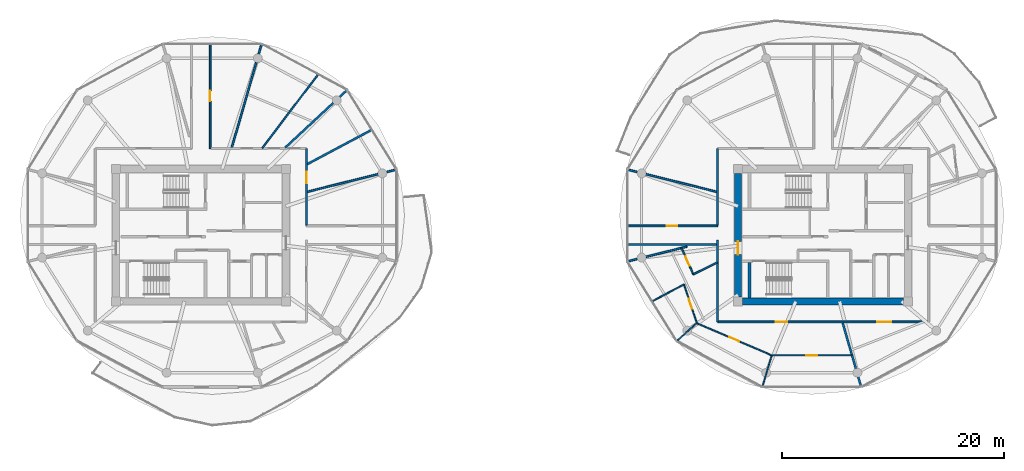
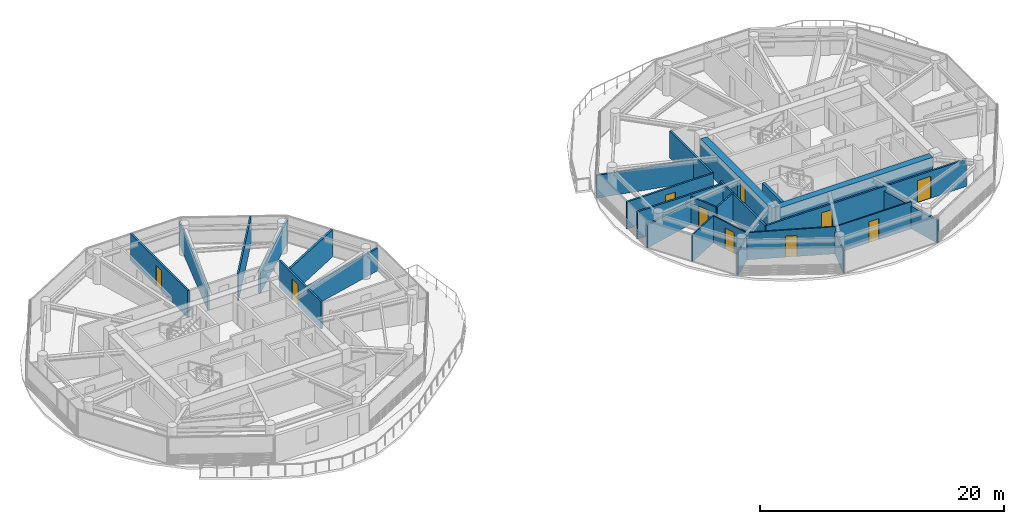
# One storey, part 14 of 22: 26 walls, 10 doors, 10 openings.
"""IFC4 building model written with IfcOpenShell, lengths in metres."""

from ifc_helpers import new_model, si_unit, direction, frame, frame_2d, origin, place, context, subcontext, project, spatial, rectangle, extrude, source, transform, mapped, material, layer, layer_set, type_object, type_shapes, element, fill, save


model = new_model("IFC4")

# Units and contexts
model_context = context("Model", 3, precision=1e-05, world=origin(), true_north=direction((0.0, 1.0)))
body_context = subcontext(model_context, "Body", "Model", "MODEL_VIEW")
ifc_project = project(units=[si_unit("LENGTHUNIT", "METRE"), si_unit("AREAUNIT", "SQUARE_METRE"), si_unit("VOLUMEUNIT", "CUBIC_METRE"), si_unit("PLANEANGLEUNIT", "RADIAN"), si_unit("MASSUNIT", "GRAM", prefix="KILO")], contexts=[model_context])

# Site, building, storey
site_placement = place(None, origin())
site = spatial("IfcSite", under=ifc_project, at=site_placement, CompositionType="ELEMENT")
building_placement = place(site_placement, origin())
building = spatial("IfcBuilding", under=site, at=building_placement, Name="Norrkilde Senior Care Towers", CompositionType="ELEMENT")
storey_placement = place(building_placement, frame((0.0, 0.0, 183.10009765625)))
storey = spatial("IfcBuildingStorey", under=building, at=storey_placement, Name="L57", CompositionType="ELEMENT", Elevation=183.10009765625)

# Wall
ifc_material_1 = material(Name="Concrete C50/60", Category="concrete")
ifc_layer_1 = layer(ifc_material_1, 0.6201171875)
ifc_layer_set_1 = layer_set([ifc_layer_1], Name="Concrete C50/60")
wall_type_1 = type_object("IfcWallType", Name="Core Shear Wall Z3 620", PredefinedType="SHEAR", material=ifc_layer_set_1)
shared_shape_1 = source(origin(), body_context, "Body", "SweptSolid", [
    extrude(rectangle(XDim=14.5, YDim=0.6201171875, at=frame_2d((7.25, 0.0))), origin(), (0.0, 0.0, 1.0), 2.72998046875),
])
wall_1_placement = place(storey_placement, frame((35.25, -5.949951171875, 0.0), z_axis=(0.0, 0.0, 1.0), x_axis=(-1.0, 0.0, 0.0)))
element("IfcWall", 1, at=wall_1_placement, inside=storey, type_object=wall_type_1, Name="L57 Core E South Shear Wall", PredefinedType="SHEAR", context=body_context, shape_type="MappedRepresentation", body=[
    mapped(shared_shape_1, transform((0.0, 0.0, 0.0), x_axis=(1.0, 0.0, 0.0), y_axis=(0.0, 1.0, 0.0), z_axis=(0.0, 0.0, 1.0), scale=1.0)),
])

# Wall, opening, door
shared_shape_2 = source(origin(), body_context, "Body", "SweptSolid", [
    extrude(rectangle(XDim=11.10009765625, YDim=0.6201171875, at=frame_2d((5.550048828125, 0.0))), origin(), (0.0, 0.0, 1.0), 2.72998046875),
])
type_shapes(wall_type_1, [shared_shape_1, shared_shape_2])
wall_2_placement = place(storey_placement, frame((20.35009765625, -5.550048828125, 0.0), z_axis=(0.0, 0.0, 1.0), x_axis=(0.0, 1.0, 0.0)))
wall_2 = element("IfcWall", 2, at=wall_2_placement, inside=storey, type_object=wall_type_1, Name="L57 Core E West Shear Wall", PredefinedType="SHEAR", context=body_context, shape_type="MappedRepresentation", body=[
    mapped(shared_shape_2, transform((0.0, 0.0, 0.0), x_axis=(1.0, 0.0, 0.0), y_axis=(0.0, 1.0, 0.0), z_axis=(0.0, 0.0, 1.0), scale=1.0)),
])
opening_1_placement = place(wall_2_placement, frame((3.800048828125, 0.0, 0.0)))
opening_1 = element("IfcOpeningElement", 3, at=opening_1_placement, cuts=wall_2, Name="Opening D-04", PredefinedType="OPENING", context=body_context, shape_type="SweptSolid", body=[
    extrude(rectangle(XDim=1.199951171875, YDim=2.14990234375, at=frame_2d((0.60009765625, 1.074951171875))), frame((0.0, 0.320068359375, 0.0), z_axis=(0.0, -1.0, 0.0), x_axis=(1.0, 0.0, 0.0)), (0.0, 0.0, 1.0), 0.64013671875),
])
ifc_material_2 = material(Name="Galvanised Painted Steel", Category="steel")
door_type_1 = type_object("IfcDoorType", Name="Firefighting Lobby Fire Door 1200x2150", OperationType="NOTDEFINED", PredefinedType="DOOR", material=ifc_material_2)
shared_shape_3 = source(origin(), body_context, "Body", "SweptSolid", [
    extrude(rectangle(XDim=1.199951171875, YDim=2.14990234375, at=frame_2d((0.60009765625, 1.074951171875))), frame((0.0, 0.02490234375, 0.0), z_axis=(0.0, -1.0, 0.0), x_axis=(1.0, 0.0, 0.0)), (0.0, 0.0, 1.0), 0.050048828125),
])
type_shapes(door_type_1, [shared_shape_3])
door_1_placement = place(opening_1_placement, frame((1.199951171875, 0.0, 0.0), z_axis=(0.0, 0.0, 1.0), x_axis=(-1.0, 0.0, 0.0)))
door_1 = element("IfcDoor", 4, at=door_1_placement, inside=storey, type_object=door_type_1, Name="L57 Core E West Portal Door", OperationType="SINGLE_SWING_LEFT", OverallHeight=2.14990234375, OverallWidth=1.199951171875, PredefinedType="DOOR", context=body_context, shape_type="MappedRepresentation", body=[
    mapped(shared_shape_3, transform((0.0, 0.0, 0.0), x_axis=(1.0, 0.0, 0.0), y_axis=(0.0, 1.0, 0.0), z_axis=(0.0, 0.0, 1.0), scale=1.0)),
])
fill(opening_1, door_1)

# Wall
ifc_material_3 = material(Name="Concrete C45/55", Category="concrete")
ifc_layer_2 = layer(ifc_material_3, 0.239990234375)
ifc_layer_set_2 = layer_set([ifc_layer_2], Name="Concrete C45/55")
wall_type_2 = type_object("IfcWallType", Name="Shaft and Stair Enclosure Wall 240", PredefinedType="PARTITIONING", material=ifc_layer_set_2)
shared_shape_4 = source(origin(), body_context, "Body", "SweptSolid", [
    extrude(rectangle(XDim=3.18994140625, YDim=0.239990234375, at=frame_2d((1.594970703125, 0.0))), origin(), (0.0, 0.0, 1.0), 2.72998046875),
])
type_shapes(wall_type_2, [shared_shape_4])
wall_3_placement = place(storey_placement, frame((21.3798828125, -5.639892578125, 0.0), z_axis=(0.0, 0.0, 1.0), x_axis=(0.0, 1.0, 0.0)))
element("IfcWall", 5, at=wall_3_placement, inside=storey, type_object=wall_type_2, Name="WL-INT-L57-E-ST2W", PredefinedType="PARTITIONING", context=body_context, shape_type="MappedRepresentation", body=[
    mapped(shared_shape_4, transform((0.0, 0.0, 0.0), x_axis=(1.0, 0.0, 0.0), y_axis=(0.0, 1.0, 0.0), z_axis=(0.0, 0.0, 1.0), scale=1.0)),
])

# Wall, openings, doors
ifc_material_4 = material(Name="Gypsum Acoustic Board")
ifc_layer_3 = layer(ifc_material_4, 0.1650390625)
ifc_layer_set_3 = layer_set([ifc_layer_3], Name="Gypsum Acoustic Board")
wall_type_3 = type_object("IfcWallType", Name="Corridor Rated Partition 165", PredefinedType="PARTITIONING", material=ifc_layer_set_3)
shared_shape_5 = source(origin(), body_context, "Body", "SweptSolid", [
    extrude(rectangle(XDim=19.0, YDim=0.1650390625, at=frame_2d((9.5, 0.0))), origin(), (0.0, 0.0, 1.0), 2.71484375),
])
wall_4_placement = place(storey_placement, frame((37.5, -7.800048828125, 0.0), z_axis=(0.0, 0.0, 1.0), x_axis=(-1.0, 0.0, 0.0)))
wall_4 = element("IfcWall", 6, at=wall_4_placement, inside=storey, type_object=wall_type_3, Name="WL-INT-L57-E-CRW-S-0", PredefinedType="PARTITIONING", context=body_context, shape_type="MappedRepresentation", body=[
    mapped(shared_shape_5, transform((0.0, 0.0, 0.0), x_axis=(1.0, 0.0, 0.0), y_axis=(0.0, 1.0, 0.0), z_axis=(0.0, 0.0, 1.0), scale=1.0)),
])
opening_2_placement = place(wall_4_placement, frame((12.723388671875, 0.0, 0.0)))
opening_2 = element("IfcOpeningElement", 7, at=opening_2_placement, cuts=wall_4, Name="Opening D-06", PredefinedType="OPENING", context=body_context, shape_type="SweptSolid", body=[
    extrude(rectangle(XDim=1.050048828125, YDim=2.14990234375, at=frame_2d((0.52490234375, 1.074951171875))), frame((0.0, 0.092529296875, 0.0), z_axis=(0.0, -1.0, 0.0), x_axis=(1.0, 0.0, 0.0)), (0.0, 0.0, 1.0), 0.18505859375),
])
opening_3_placement = place(wall_4_placement, frame((3.3916015625, 0.0, 0.0)))
opening_3 = element("IfcOpeningElement", 8, at=opening_3_placement, cuts=wall_4, Name="Opening D-05", PredefinedType="OPENING", context=body_context, shape_type="SweptSolid", body=[
    extrude(rectangle(XDim=1.25, YDim=2.199951171875, at=frame_2d((0.625, 1.10009765625))), frame((0.0, 0.092529296875, 0.0), z_axis=(0.0, -1.0, 0.0), x_axis=(1.0, 0.0, 0.0)), (0.0, 0.0, 1.0), 0.18505859375),
])
ifc_material_5 = material(Name="Nordic Ash Timber", Category="wood")
door_type_2 = type_object("IfcDoorType", Name="Care Bedroom Bariatric Door 1250x2200", OperationType="NOTDEFINED", PredefinedType="DOOR", material=ifc_material_5)
shared_shape_6 = source(origin(), body_context, "Body", "SweptSolid", [
    extrude(rectangle(XDim=1.25, YDim=2.199951171875, at=frame_2d((0.625, 1.10009765625))), frame((0.0, 0.02490234375, 0.0), z_axis=(0.0, -1.0, 0.0), x_axis=(1.0, 0.0, 0.0)), (0.0, 0.0, 1.0), 0.050048828125),
])
type_shapes(door_type_2, [shared_shape_6])
door_2_placement = place(opening_3_placement, frame((1.25, 0.0, 0.0), z_axis=(0.0, 0.0, 1.0), x_axis=(-1.0, 0.0, 0.0)))
door_2 = element("IfcDoor", 9, at=door_2_placement, inside=storey, type_object=door_type_2, Name="L57 Care Coordination Charting Office Door", OperationType="SINGLE_SWING_RIGHT", OverallHeight=2.199951171875, OverallWidth=1.25, PredefinedType="DOOR", context=body_context, shape_type="MappedRepresentation", body=[
    mapped(shared_shape_6, transform((0.0, 0.0, 0.0), x_axis=(1.0, 0.0, 0.0), y_axis=(0.0, 1.0, 0.0), z_axis=(0.0, 0.0, 1.0), scale=1.0)),
])
fill(opening_3, door_2)
door_type_3 = type_object("IfcDoorType", Name="Apartment Entrance Fire Door 1050x2150", OperationType="NOTDEFINED", PredefinedType="DOOR", material=ifc_material_5)
shared_shape_7 = source(origin(), body_context, "Body", "SweptSolid", [
    extrude(rectangle(XDim=1.050048828125, YDim=2.14990234375, at=frame_2d((0.52490234375, 1.074951171875))), frame((0.0, 0.02490234375, 0.0), z_axis=(0.0, -1.0, 0.0), x_axis=(1.0, 0.0, 0.0)), (0.0, 0.0, 1.0), 0.050048828125),
])
type_shapes(door_type_3, [shared_shape_7])
door_3_placement = place(opening_2_placement, frame((1.050048828125, 0.0, 0.0), z_axis=(0.0, 0.0, 1.0), x_axis=(-1.0, 0.0, 0.0)))
door_3 = element("IfcDoor", 10, at=door_3_placement, inside=storey, type_object=door_type_3, Name="Apartment 57D Entrance Door", OperationType="SINGLE_SWING_LEFT", OverallHeight=2.14990234375, OverallWidth=1.050048828125, PredefinedType="DOOR", context=body_context, shape_type="MappedRepresentation", body=[
    mapped(shared_shape_7, transform((0.0, 0.0, 0.0), x_axis=(1.0, 0.0, 0.0), y_axis=(0.0, 1.0, 0.0), z_axis=(0.0, 0.0, 1.0), scale=1.0)),
])
fill(opening_2, door_3)

# Wall, opening, door
shared_shape_8 = source(origin(), body_context, "Body", "SweptSolid", [
    extrude(rectangle(XDim=6.880126953125, YDim=0.1650390625, at=frame_2d((3.43994140625, 0.0))), origin(), (0.0, 0.0, 1.0), 2.71484375),
])
wall_5_placement = place(storey_placement, frame((-18.5, 7.800048828125, 0.0), z_axis=(0.0, 0.0, 1.0), x_axis=(0.0, -1.0, 0.0)))
wall_5 = element("IfcWall", 11, at=wall_5_placement, inside=storey, type_object=wall_type_3, Name="WL-INT-L57-W-CRW-E-0", PredefinedType="PARTITIONING", context=body_context, shape_type="MappedRepresentation", body=[
    mapped(shared_shape_8, transform((0.0, 0.0, 0.0), x_axis=(1.0, 0.0, 0.0), y_axis=(0.0, 1.0, 0.0), z_axis=(0.0, 0.0, 1.0), scale=1.0)),
])
opening_4_placement = place(wall_5_placement, frame((2.080810546875, 0.0, 0.0)))
opening_4 = element("IfcOpeningElement", 12, at=opening_4_placement, cuts=wall_5, Name="Opening D-06", PredefinedType="OPENING", context=body_context, shape_type="SweptSolid", body=[
    extrude(rectangle(XDim=1.050048828125, YDim=2.14990234375, at=frame_2d((0.52490234375, 1.074951171875))), frame((0.0, 0.092529296875, 0.0), z_axis=(0.0, -1.0, 0.0), x_axis=(1.0, 0.0, 0.0)), (0.0, 0.0, 1.0), 0.18505859375),
])
door_4_placement = place(opening_4_placement, frame((1.050048828125, 0.0, 0.0), z_axis=(0.0, 0.0, 1.0), x_axis=(-1.0, 0.0, 0.0)))
door_4 = element("IfcDoor", 13, at=door_4_placement, inside=storey, type_object=door_type_3, Name="L57 Physiotherapy Clinic 0A Door", OperationType="SINGLE_SWING_LEFT", OverallHeight=2.14990234375, OverallWidth=1.050048828125, PredefinedType="DOOR", context=body_context, shape_type="MappedRepresentation", body=[
    mapped(shared_shape_7, transform((0.0, 0.0, 0.0), x_axis=(1.0, 0.0, 0.0), y_axis=(0.0, 1.0, 0.0), z_axis=(0.0, 0.0, 1.0), scale=1.0)),
])
fill(opening_4, door_4)

# Walls
wall_6_placement = place(storey_placement, frame((18.5, 0.919921875, 0.0), z_axis=(0.0, 0.0, 1.0), x_axis=(0.0, 1.0, 0.0)))
element("IfcWall", 14, at=wall_6_placement, inside=storey, type_object=wall_type_3, Name="WL-INT-L57-E-CRW-W-1", PredefinedType="PARTITIONING", context=body_context, shape_type="MappedRepresentation", body=[
    mapped(shared_shape_8, transform((0.0, 0.0, 0.0), x_axis=(1.0, 0.0, 0.0), y_axis=(0.0, 1.0, 0.0), z_axis=(0.0, 0.0, 1.0), scale=1.0)),
])
shared_shape_9 = source(origin(), body_context, "Body", "SweptSolid", [
    extrude(rectangle(XDim=7.364501953125, YDim=0.1650390625, at=frame_2d((3.68212890625, 0.0))), origin(), (0.0, 0.0, 1.0), 2.71484375),
])
wall_7_placement = place(storey_placement, frame((18.5, -7.800048828125, 0.0), z_axis=(0.0, 0.0, 1.0), x_axis=(0.0, 1.0, 0.0)))
element("IfcWall", 15, at=wall_7_placement, inside=storey, type_object=wall_type_3, Name="WL-INT-L57-E-CRW-W-0", PredefinedType="PARTITIONING", context=body_context, shape_type="MappedRepresentation", body=[
    mapped(shared_shape_9, transform((0.0, 0.0, 0.0), x_axis=(1.0, 0.0, 0.0), y_axis=(0.0, 1.0, 0.0), z_axis=(0.0, 0.0, 1.0), scale=1.0)),
])
shared_shape_10 = source(origin(), body_context, "Body", "SweptSolid", [
    extrude(rectangle(XDim=9.73046875, YDim=0.1650390625, at=frame_2d((4.865234375, 0.0))), origin(), (0.0, 0.0, 1.0), 2.264892578125),
])
wall_8_placement = place(storey_placement, frame((-25.216552734375, 7.8798828125, 0.0), z_axis=(0.0, 0.0, 1.0), x_axis=(0.27679492614, 0.960929013436, 0.0)))
element("IfcWall", 16, at=wall_8_placement, inside=storey, type_object=wall_type_3, Name="WL-INT-L57-W-DEM-02-0", PredefinedType="PARTITIONING", context=body_context, shape_type="MappedRepresentation", body=[
    mapped(shared_shape_10, transform((0.0, 0.0, 0.0), x_axis=(1.0, 0.0, 0.0), y_axis=(0.0, 1.0, 0.0), z_axis=(0.0, 0.0, 1.0), scale=1.0)),
])
shared_shape_11 = source(origin(), body_context, "Body", "SweptSolid", [
    extrude(rectangle(XDim=5.564453125, YDim=0.1650390625, at=frame_2d((2.7822265625, 0.0))), origin(), (0.0, 0.0, 1.0), 2.264892578125),
])
wall_9_placement = place(storey_placement, frame((15.76025390625, -1.02001953125, 0.0), z_axis=(0.0, 0.0, 1.0), x_axis=(-0.970315176167, -0.241843872984, 0.0)))
element("IfcWall", 17, at=wall_9_placement, inside=storey, type_object=wall_type_3, Name="WL-INT-L57-E-DEM-06-0", PredefinedType="PARTITIONING", context=body_context, shape_type="MappedRepresentation", body=[
    mapped(shared_shape_11, transform((0.0, 0.0, 0.0), x_axis=(1.0, 0.0, 0.0), y_axis=(0.0, 1.0, 0.0), z_axis=(0.0, 0.0, 1.0), scale=1.0)),
])
shared_shape_12 = source(origin(), body_context, "Body", "SweptSolid", [
    extrude(rectangle(XDim=8.305419921875, YDim=0.1650390625, at=frame_2d((4.15283203125, 0.0))), origin(), (0.0, 0.0, 1.0), 2.264892578125),
])
for number, where, z_axis, x_axis, name in (
    (18, (-18.419921875, 3.90771484375, 0.0), (0.0, 0.0, 1.0), (0.970309994378, 0.241864662175, 0.0), "WL-INT-L57-W-DEM-00-0"),
    (19, (18.419921875, 3.90771484375, 0.0), (0.0, 0.0, 1.0), (-0.970309994378, 0.241864662175, 0.0), "WL-INT-L57-E-DEM-05-0"),
):
    element("IfcWall", number, at=place(storey_placement, frame(where, z_axis=z_axis, x_axis=x_axis)), inside=storey, type_object=wall_type_3, Name=name, PredefinedType="PARTITIONING", context=body_context, shape_type="MappedRepresentation", body=[
        mapped(shared_shape_12, transform((0.0, 0.0, 0.0), x_axis=(1.0, 0.0, 0.0), y_axis=(0.0, 1.0, 0.0), z_axis=(0.0, 0.0, 1.0), scale=1.0)),
    ])

# Wall, opening, door
shared_shape_13 = source(origin(), body_context, "Body", "SweptSolid", [
    extrude(rectangle(XDim=9.480224609375, YDim=0.1650390625, at=frame_2d((4.740234375, 0.0))), origin(), (0.0, 0.0, 1.0), 2.71484375),
])
wall_10_placement = place(storey_placement, frame((-27.159912109375, 17.2802734375, 0.0), z_axis=(0.0, 0.0, 1.0), x_axis=(0.0, -1.0, 0.0)))
wall_10 = element("IfcWall", 20, at=wall_10_placement, inside=storey, type_object=wall_type_3, Name="WL-INT-L57-W-SPK-N2-0", PredefinedType="PARTITIONING", context=body_context, shape_type="MappedRepresentation", body=[
    mapped(shared_shape_13, transform((0.0, 0.0, 0.0), x_axis=(1.0, 0.0, 0.0), y_axis=(0.0, 1.0, 0.0), z_axis=(0.0, 0.0, 1.0), scale=1.0)),
])
opening_5_placement = place(wall_10_placement, frame((4.26513671875, 0.0, 0.0)))
opening_5 = element("IfcOpeningElement", 21, at=opening_5_placement, cuts=wall_10, Name="Opening D-07", PredefinedType="OPENING", context=body_context, shape_type="SweptSolid", body=[
    extrude(rectangle(XDim=0.949951171875, YDim=2.10009765625, at=frame_2d((0.47509765625, 1.050048828125))), frame((0.0, 0.092529296875, 0.0), z_axis=(0.0, -1.0, 0.0), x_axis=(1.0, 0.0, 0.0)), (0.0, 0.0, 1.0), 0.18505859375),
])
door_type_4 = type_object("IfcDoorType", Name="Internal Suite Bedroom Door 950x2100", OperationType="NOTDEFINED", PredefinedType="DOOR", material=ifc_material_5)
shared_shape_14 = source(origin(), body_context, "Body", "SweptSolid", [
    extrude(rectangle(XDim=0.949951171875, YDim=2.10009765625, at=frame_2d((0.47509765625, 1.050048828125))), frame((0.0, 0.02490234375, 0.0), z_axis=(0.0, -1.0, 0.0), x_axis=(1.0, 0.0, 0.0)), (0.0, 0.0, 1.0), 0.050048828125),
])
type_shapes(door_type_4, [shared_shape_14])
door_5_placement = place(opening_5_placement, frame((0.949951171875, 0.0, 0.0), z_axis=(0.0, 0.0, 1.0), x_axis=(-1.0, 0.0, 0.0)))
door_5 = element("IfcDoor", 22, at=door_5_placement, inside=storey, type_object=door_type_4, Name="L57 Sun Reading Lounge 4 Door", OperationType="SINGLE_SWING_LEFT", OverallHeight=2.10009765625, OverallWidth=0.949951171875, PredefinedType="DOOR", context=body_context, shape_type="MappedRepresentation", body=[
    mapped(shared_shape_14, transform((0.0, 0.0, 0.0), x_axis=(1.0, 0.0, 0.0), y_axis=(0.0, 1.0, 0.0), z_axis=(0.0, 0.0, 1.0), scale=1.0)),
])
fill(opening_5, door_5)

shared_shape_15 = source(origin(), body_context, "Body", "SweptSolid", [
    extrude(rectangle(XDim=8.18896484375, YDim=0.1650390625, at=frame_2d((4.094482421875, 0.0))), origin(), (0.0, 0.0, 1.0), 2.71484375),
])
type_shapes(wall_type_3, [shared_shape_5, shared_shape_8, shared_shape_9, shared_shape_10, shared_shape_11, shared_shape_12, shared_shape_13, shared_shape_15])
wall_11_placement = place(storey_placement, frame((10.31103515625, 0.840087890625, 0.0), z_axis=(0.0, 0.0, 1.0), x_axis=(1.0, 0.0, 0.0)))
wall_11 = element("IfcWall", 23, at=wall_11_placement, inside=storey, type_object=wall_type_3, Name="WL-INT-L57-E-SPK-W1-0", PredefinedType="PARTITIONING", context=body_context, shape_type="MappedRepresentation", body=[
    mapped(shared_shape_15, transform((0.0, 0.0, 0.0), x_axis=(1.0, 0.0, 0.0), y_axis=(0.0, 1.0, 0.0), z_axis=(0.0, 0.0, 1.0), scale=1.0)),
])
opening_6_placement = place(wall_11_placement, frame((3.619384765625, 0.0, 0.0)))
opening_6 = element("IfcOpeningElement", 24, at=opening_6_placement, cuts=wall_11, Name="Opening D-07", PredefinedType="OPENING", context=body_context, shape_type="SweptSolid", body=[
    extrude(rectangle(XDim=0.949951171875, YDim=2.10009765625, at=frame_2d((0.47509765625, 1.050048828125))), frame((0.0, 0.092529296875, 0.0), z_axis=(0.0, -1.0, 0.0), x_axis=(1.0, 0.0, 0.0)), (0.0, 0.0, 1.0), 0.18505859375),
])
door_6_placement = place(opening_6_placement, frame((0.949951171875, 0.0, 0.0), z_axis=(0.0, 0.0, 1.0), x_axis=(-1.0, 0.0, 0.0)))
door_6 = element("IfcDoor", 25, at=door_6_placement, inside=storey, type_object=door_type_4, Name="L57 Sun Reading Lounge 2 Door", OperationType="SINGLE_SWING_LEFT", OverallHeight=2.10009765625, OverallWidth=0.949951171875, PredefinedType="DOOR", context=body_context, shape_type="MappedRepresentation", body=[
    mapped(shared_shape_14, transform((0.0, 0.0, 0.0), x_axis=(1.0, 0.0, 0.0), y_axis=(0.0, 1.0, 0.0), z_axis=(0.0, 0.0, 1.0), scale=1.0)),
])
fill(opening_6, door_6)

# Walls
wall_12_placement = place(storey_placement, frame((18.5, -0.840087890625, 0.0), z_axis=(0.0, 0.0, 1.0), x_axis=(-1.0, 0.0, 0.0)))
element("IfcWall", 26, at=wall_12_placement, inside=storey, type_object=wall_type_3, Name="WL-INT-L57-E-SPK-W2-0", PredefinedType="PARTITIONING", context=body_context, shape_type="MappedRepresentation", body=[
    mapped(shared_shape_15, transform((0.0, 0.0, 0.0), x_axis=(1.0, 0.0, 0.0), y_axis=(0.0, 1.0, 0.0), z_axis=(0.0, 0.0, 1.0), scale=1.0)),
])
ifc_layer_4 = layer(ifc_material_4, 0.18994140625)
ifc_layer_set_4 = layer_set([ifc_layer_4], Name="Gypsum Acoustic Board")
wall_type_4 = type_object("IfcWallType", Name="Unit Demising Acoustic Wall 190", PredefinedType="PARTITIONING", material=ifc_layer_set_4)
shared_shape_16 = source(origin(), body_context, "Body", "SweptSolid", [
    extrude(rectangle(XDim=7.648193359375, YDim=0.18994140625, at=frame_2d((3.82421875, 0.0))), origin(), (0.0, 0.0, 1.0), 2.264892578125),
])
wall_13_placement = place(storey_placement, frame((-20.41259765625, 7.8798828125, 0.0), z_axis=(0.0, 0.0, 1.0), x_axis=(0.732182665826, 0.681108320213, 0.0)))
element("IfcWall", 27, at=wall_13_placement, inside=storey, type_object=wall_type_4, Name="WL-INT-L57-W-DEM-01-0", PredefinedType="PARTITIONING", context=body_context, shape_type="MappedRepresentation", body=[
    mapped(shared_shape_16, transform((0.0, 0.0, 0.0), x_axis=(1.0, 0.0, 0.0), y_axis=(0.0, 1.0, 0.0), z_axis=(0.0, 0.0, 1.0), scale=1.0)),
])
shared_shape_17 = source(origin(), body_context, "Body", "SweptSolid", [
    extrude(rectangle(XDim=6.665283203125, YDim=0.18994140625, at=frame_2d((3.33251953125, 0.0))), origin(), (0.0, 0.0, 1.0), 2.71484375),
])
wall_14_placement = place(storey_placement, frame((-18.469970703125, 6.36962890625, 0.0), z_axis=(0.0, 0.0, 1.0), x_axis=(0.88263769619, 0.470053930166, 0.0)))
element("IfcWall", 28, at=wall_14_placement, inside=storey, type_object=wall_type_4, Name="WL-INT-L57-W-MID-00", PredefinedType="PARTITIONING", context=body_context, shape_type="MappedRepresentation", body=[
    mapped(shared_shape_17, transform((0.0, 0.0, 0.0), x_axis=(1.0, 0.0, 0.0), y_axis=(0.0, 1.0, 0.0), z_axis=(0.0, 0.0, 1.0), scale=1.0)),
])
ifc_layer_5 = layer(ifc_material_4, 0.139892578125)
ifc_layer_set_5 = layer_set([ifc_layer_5], Name="Gypsum Acoustic Board")
wall_type_5 = type_object("IfcWallType", Name="En-suite Wet Room Wall 140", PredefinedType="PARTITIONING", material=ifc_layer_set_5)
shared_shape_18 = source(origin(), body_context, "Body", "SweptSolid", [
    extrude(rectangle(XDim=8.359375, YDim=0.139892578125, at=frame_2d((4.1796875, 0.0))), origin(), (0.0, 0.0, 1.0), 2.71484375),
])
wall_15_placement = place(storey_placement, frame((-22.477294921875, 7.830078125, 0.0), z_axis=(0.0, 0.0, 1.0), x_axis=(0.603265985309, 0.797540062297, 0.0)))
element("IfcWall", 29, at=wall_15_placement, inside=storey, type_object=wall_type_5, Name="WL-INT-L57-W-MID-01", PredefinedType="PARTITIONING", context=body_context, shape_type="MappedRepresentation", body=[
    mapped(shared_shape_18, transform((0.0, 0.0, 0.0), x_axis=(1.0, 0.0, 0.0), y_axis=(0.0, 1.0, 0.0), z_axis=(0.0, 0.0, 1.0), scale=1.0)),
])
shared_shape_19 = source(origin(), body_context, "Body", "SweptSolid", [
    extrude(rectangle(XDim=6.035400390625, YDim=0.18994140625, at=frame_2d((3.017578125, 0.0))), origin(), (0.0, 0.0, 1.0), 2.264892578125),
])
type_shapes(wall_type_4, [shared_shape_16, shared_shape_17, shared_shape_19])
wall_16_placement = place(storey_placement, frame((29.756103515625, -7.8798828125, 0.0), z_axis=(0.0, 0.0, 1.0), x_axis=(0.276809454862, -0.960924828329, 0.0)))
element("IfcWall", 30, at=wall_16_placement, inside=storey, type_object=wall_type_4, Name="WL-INT-L57-E-DEM-09-0", PredefinedType="PARTITIONING", context=body_context, shape_type="MappedRepresentation", body=[
    mapped(shared_shape_19, transform((0.0, 0.0, 0.0), x_axis=(1.0, 0.0, 0.0), y_axis=(0.0, 1.0, 0.0), z_axis=(0.0, 0.0, 1.0), scale=1.0)),
])

# Wall, opening, door
ifc_layer_6 = layer(ifc_material_4, 0.114990234375)
ifc_layer_set_6 = layer_set([ifc_layer_6], Name="Gypsum Acoustic Board")
wall_type_6 = type_object("IfcWallType", Name="Internal Room Partition 115", PredefinedType="PARTITIONING", material=ifc_layer_set_6)
shared_shape_20 = source(origin(), body_context, "Body", "SweptSolid", [
    extrude(rectangle(XDim=7.34375, YDim=0.114990234375, at=frame_2d((3.671875, 0.0))), origin(), (0.0, 0.0, 1.0), 2.71484375),
])
wall_17_placement = place(storey_placement, frame((16.623779296875, -7.90966796875, 0.0), z_axis=(0.0, 0.0, 1.0), x_axis=(0.918735287054, -0.3948739955, 0.0)))
wall_17 = element("IfcWall", 31, at=wall_17_placement, inside=storey, type_object=wall_type_6, Name="WL-INT-L57-E-UBC-06-1", PredefinedType="PARTITIONING", context=body_context, shape_type="MappedRepresentation", body=[
    mapped(shared_shape_20, transform((0.0, 0.0, 0.0), x_axis=(1.0, 0.0, 0.0), y_axis=(0.0, 1.0, 0.0), z_axis=(0.0, 0.0, 1.0), scale=1.0)),
])
opening_7_placement = place(wall_17_placement, frame((3.197021484375, 0.0, 0.0)))
opening_7 = element("IfcOpeningElement", 32, at=opening_7_placement, cuts=wall_17, Name="Opening D-07", PredefinedType="OPENING", context=body_context, shape_type="SweptSolid", body=[
    extrude(rectangle(XDim=0.949951171875, YDim=2.10009765625, at=frame_2d((0.47509765625, 1.050048828125))), frame((0.0, 0.0673828125, 0.0), z_axis=(0.0, -1.0, 0.0), x_axis=(1.0, 0.0, 0.0)), (0.0, 0.0, 1.0), 0.135009765625),
])
door_7_placement = place(opening_7_placement, origin())
door_7 = element("IfcDoor", 33, at=door_7_placement, inside=storey, type_object=door_type_4, Name="Apartment 57D Bedroom 1 Door", OperationType="SINGLE_SWING_RIGHT", OverallHeight=2.10009765625, OverallWidth=0.949951171875, PredefinedType="DOOR", context=body_context, shape_type="MappedRepresentation", body=[
    mapped(shared_shape_14, transform((0.0, 0.0, 0.0), x_axis=(1.0, 0.0, 0.0), y_axis=(0.0, 1.0, 0.0), z_axis=(0.0, 0.0, 1.0), scale=1.0)),
])
fill(opening_7, door_7)

# Wall
shared_shape_21 = source(origin(), body_context, "Body", "SweptSolid", [
    extrude(rectangle(XDim=2.435546875, YDim=0.114990234375, at=frame_2d((1.2177734375, 0.0))), origin(), (0.0, 0.0, 1.0), 2.264892578125),
])
wall_18_placement = place(storey_placement, frame((16.623779296875, -7.90966796875, 0.0), z_axis=(0.0, 0.0, 1.0), x_axis=(-0.743553265121, -0.668676709575, 0.0)))
element("IfcWall", 34, at=wall_18_placement, inside=storey, type_object=wall_type_6, Name="WL-INT-L57-E-UBR-06-1", PredefinedType="PARTITIONING", context=body_context, shape_type="MappedRepresentation", body=[
    mapped(shared_shape_21, transform((0.0, 0.0, 0.0), x_axis=(1.0, 0.0, 0.0), y_axis=(0.0, 1.0, 0.0), z_axis=(0.0, 0.0, 1.0), scale=1.0)),
])

# Wall, opening, door
shared_shape_22 = source(origin(), body_context, "Body", "SweptSolid", [
    extrude(rectangle(XDim=7.206787109375, YDim=0.114990234375, at=frame_2d((3.603515625, 0.0))), origin(), (0.0, 0.0, 1.0), 2.71484375),
])
wall_19_placement = place(storey_placement, frame((23.37158203125, -10.806884765625, 0.0), z_axis=(0.0, 0.0, 1.0), x_axis=(1.0, 0.0, 0.0)))
wall_19 = element("IfcWall", 35, at=wall_19_placement, inside=storey, type_object=wall_type_6, Name="WL-INT-L57-E-UBC-06-2", PredefinedType="PARTITIONING", context=body_context, shape_type="MappedRepresentation", body=[
    mapped(shared_shape_22, transform((0.0, 0.0, 0.0), x_axis=(1.0, 0.0, 0.0), y_axis=(0.0, 1.0, 0.0), z_axis=(0.0, 0.0, 1.0), scale=1.0)),
])
opening_8_placement = place(wall_19_placement, frame((3.12841796875, 0.0, 0.0)))
opening_8 = element("IfcOpeningElement", 36, at=opening_8_placement, cuts=wall_19, Name="Opening D-07", PredefinedType="OPENING", context=body_context, shape_type="SweptSolid", body=[
    extrude(rectangle(XDim=0.949951171875, YDim=2.10009765625, at=frame_2d((0.47509765625, 1.050048828125))), frame((0.0, 0.0673828125, 0.0), z_axis=(0.0, -1.0, 0.0), x_axis=(1.0, 0.0, 0.0)), (0.0, 0.0, 1.0), 0.135009765625),
])
door_8_placement = place(opening_8_placement, frame((0.949951171875, 0.0, 0.0), z_axis=(0.0, 0.0, 1.0), x_axis=(-1.0, 0.0, 0.0)))
door_8 = element("IfcDoor", 37, at=door_8_placement, inside=storey, type_object=door_type_4, Name="Apartment 57D Bedroom 2 Door", OperationType="SINGLE_SWING_LEFT", OverallHeight=2.10009765625, OverallWidth=0.949951171875, PredefinedType="DOOR", context=body_context, shape_type="MappedRepresentation", body=[
    mapped(shared_shape_14, transform((0.0, 0.0, 0.0), x_axis=(1.0, 0.0, 0.0), y_axis=(0.0, 1.0, 0.0), z_axis=(0.0, 0.0, 1.0), scale=1.0)),
])
fill(opening_8, door_8)

# Walls
shared_shape_23 = source(origin(), body_context, "Body", "SweptSolid", [
    extrude(rectangle(XDim=2.9951171875, YDim=0.114990234375, at=frame_2d((1.49755859375, 0.0))), origin(), (0.0, 0.0, 1.0), 2.264892578125),
])
wall_20_placement = place(storey_placement, frame((23.37158203125, -10.806884765625, 0.0), z_axis=(0.0, 0.0, 1.0), x_axis=(-0.283247320714, -0.959046899431, 0.0)))
element("IfcWall", 38, at=wall_20_placement, inside=storey, type_object=wall_type_6, Name="WL-INT-L57-E-UBR-06-2", PredefinedType="PARTITIONING", context=body_context, shape_type="MappedRepresentation", body=[
    mapped(shared_shape_23, transform((0.0, 0.0, 0.0), x_axis=(1.0, 0.0, 0.0), y_axis=(0.0, 1.0, 0.0), z_axis=(0.0, 0.0, 1.0), scale=1.0)),
])
shared_shape_24 = source(origin(), body_context, "Body", "SweptSolid", [
    extrude(rectangle(XDim=2.402587890625, YDim=0.139892578125, at=frame_2d((1.201171875, 0.0))), origin(), (0.0, 0.0, 1.0), 2.71484375),
])
wall_21_placement = place(storey_placement, frame((18.469970703125, -2.455810546875, 0.0), z_axis=(0.0, 0.0, 1.0), x_axis=(-0.895339866084, -0.445383569748, 0.0)))
element("IfcWall", 39, at=wall_21_placement, inside=storey, type_object=wall_type_5, Name="WL-INT-L57-E-UBTS-06", PredefinedType="PARTITIONING", context=body_context, shape_type="MappedRepresentation", body=[
    mapped(shared_shape_24, transform((0.0, 0.0, 0.0), x_axis=(1.0, 0.0, 0.0), y_axis=(0.0, 1.0, 0.0), z_axis=(0.0, 0.0, 1.0), scale=1.0)),
])

# Wall, opening, door
shared_shape_25 = source(origin(), body_context, "Body", "SweptSolid", [
    extrude(rectangle(XDim=2.6064453125, YDim=0.139892578125, at=frame_2d((1.30322265625, 0.0))), origin(), (0.0, 0.0, 1.0), 2.71484375),
])
type_shapes(wall_type_5, [shared_shape_18, shared_shape_24, shared_shape_25])
wall_22_placement = place(storey_placement, frame((16.31884765625, -3.52587890625, 0.0), z_axis=(0.0, 0.0, 1.0), x_axis=(-0.405599540311, 0.914050880914, 0.0)))
wall_22 = element("IfcWall", 40, at=wall_22_placement, inside=storey, type_object=wall_type_5, Name="WL-INT-L57-E-UBTF-06", PredefinedType="PARTITIONING", context=body_context, shape_type="MappedRepresentation", body=[
    mapped(shared_shape_25, transform((0.0, 0.0, 0.0), x_axis=(1.0, 0.0, 0.0), y_axis=(0.0, 1.0, 0.0), z_axis=(0.0, 0.0, 1.0), scale=1.0)),
])
opening_9_placement = place(wall_22_placement, frame((0.84326171875, 0.0, 0.0)))
opening_9 = element("IfcOpeningElement", 41, at=opening_9_placement, cuts=wall_22, Name="Opening D-08", PredefinedType="OPENING", context=body_context, shape_type="SweptSolid", body=[
    extrude(rectangle(XDim=0.919921875, YDim=2.10009765625, at=frame_2d((0.4599609375, 1.050048828125))), frame((0.0, 0.079833984375, 0.0), z_axis=(0.0, -1.0, 0.0), x_axis=(1.0, 0.0, 0.0)), (0.0, 0.0, 1.0), 0.159912109375),
])
door_type_5 = type_object("IfcDoorType", Name="Accessible Wet Room Door 920x2100", OperationType="NOTDEFINED", PredefinedType="DOOR", material=ifc_material_5)
shared_shape_26 = source(origin(), body_context, "Body", "SweptSolid", [
    extrude(rectangle(XDim=0.919921875, YDim=2.10009765625, at=frame_2d((0.4599609375, 1.050048828125))), frame((0.0, 0.02490234375, 0.0), z_axis=(0.0, -1.0, 0.0), x_axis=(1.0, 0.0, 0.0)), (0.0, 0.0, 1.0), 0.050048828125),
])
type_shapes(door_type_5, [shared_shape_26])
door_9_placement = place(opening_9_placement, origin())
door_9 = element("IfcDoor", 42, at=door_9_placement, inside=storey, type_object=door_type_5, Name="Apartment 57D Bathroom Door", OperationType="SINGLE_SWING_RIGHT", OverallHeight=2.10009765625, OverallWidth=0.919921875, PredefinedType="DOOR", context=body_context, shape_type="MappedRepresentation", body=[
    mapped(shared_shape_26, transform((0.0, 0.0, 0.0), x_axis=(1.0, 0.0, 0.0), y_axis=(0.0, 1.0, 0.0), z_axis=(0.0, 0.0, 1.0), scale=1.0)),
])
fill(opening_9, door_9)

# Wall
shared_shape_27 = source(origin(), body_context, "Body", "SweptSolid", [
    extrude(rectangle(XDim=3.271728515625, YDim=0.114990234375, at=frame_2d((1.6357421875, 0.0))), origin(), (0.0, 0.0, 1.0), 2.71484375),
])
wall_23_placement = place(storey_placement, frame((15.48388671875, -4.431884765625, 0.0), z_axis=(0.0, 0.0, 1.0), x_axis=(-0.885479276486, -0.464678868589, 0.0)))
element("IfcWall", 43, at=wall_23_placement, inside=storey, type_object=wall_type_6, Name="WL-INT-L57-E-UKTS-06", PredefinedType="PARTITIONING", context=body_context, shape_type="MappedRepresentation", body=[
    mapped(shared_shape_27, transform((0.0, 0.0, 0.0), x_axis=(1.0, 0.0, 0.0), y_axis=(0.0, 1.0, 0.0), z_axis=(0.0, 0.0, 1.0), scale=1.0)),
])

# Wall, opening, door
shared_shape_28 = source(origin(), body_context, "Body", "SweptSolid", [
    extrude(rectangle(XDim=3.65576171875, YDim=0.114990234375, at=frame_2d((1.827880859375, 0.0))), origin(), (0.0, 0.0, 1.0), 2.71484375),
])
type_shapes(wall_type_6, [shared_shape_20, shared_shape_21, shared_shape_22, shared_shape_23, shared_shape_27, shared_shape_28])
wall_24_placement = place(storey_placement, frame((15.48388671875, -4.431884765625, 0.0), z_axis=(0.0, 0.0, 1.0), x_axis=(0.313602075194, -0.949554494715, 0.0)))
wall_24 = element("IfcWall", 44, at=wall_24_placement, inside=storey, type_object=wall_type_6, Name="WL-INT-L57-E-UKTF-06", PredefinedType="PARTITIONING", context=body_context, shape_type="MappedRepresentation", body=[
    mapped(shared_shape_28, transform((0.0, 0.0, 0.0), x_axis=(1.0, 0.0, 0.0), y_axis=(0.0, 1.0, 0.0), z_axis=(0.0, 0.0, 1.0), scale=1.0)),
])
opening_10_placement = place(wall_24_placement, frame((1.352783203125, 0.0, 0.0)))
opening_10 = element("IfcOpeningElement", 45, at=opening_10_placement, cuts=wall_24, Name="Opening D-07", PredefinedType="OPENING", context=body_context, shape_type="SweptSolid", body=[
    extrude(rectangle(XDim=0.949951171875, YDim=2.10009765625, at=frame_2d((0.47509765625, 1.050048828125))), frame((0.0, 0.0673828125, 0.0), z_axis=(0.0, -1.0, 0.0), x_axis=(1.0, 0.0, 0.0)), (0.0, 0.0, 1.0), 0.135009765625),
])
door_10_placement = place(opening_10_placement, frame((0.949951171875, 0.0, 0.0), z_axis=(0.0, 0.0, 1.0), x_axis=(-1.0, 0.0, 0.0)))
door_10 = element("IfcDoor", 46, at=door_10_placement, inside=storey, type_object=door_type_4, Name="Apartment 57D Kitchen Door", OperationType="SINGLE_SWING_LEFT", OverallHeight=2.10009765625, OverallWidth=0.949951171875, PredefinedType="DOOR", context=body_context, shape_type="MappedRepresentation", body=[
    mapped(shared_shape_14, transform((0.0, 0.0, 0.0), x_axis=(1.0, 0.0, 0.0), y_axis=(0.0, 1.0, 0.0), z_axis=(0.0, 0.0, 1.0), scale=1.0)),
])
fill(opening_10, door_10)

save(model, "model.ifc")
